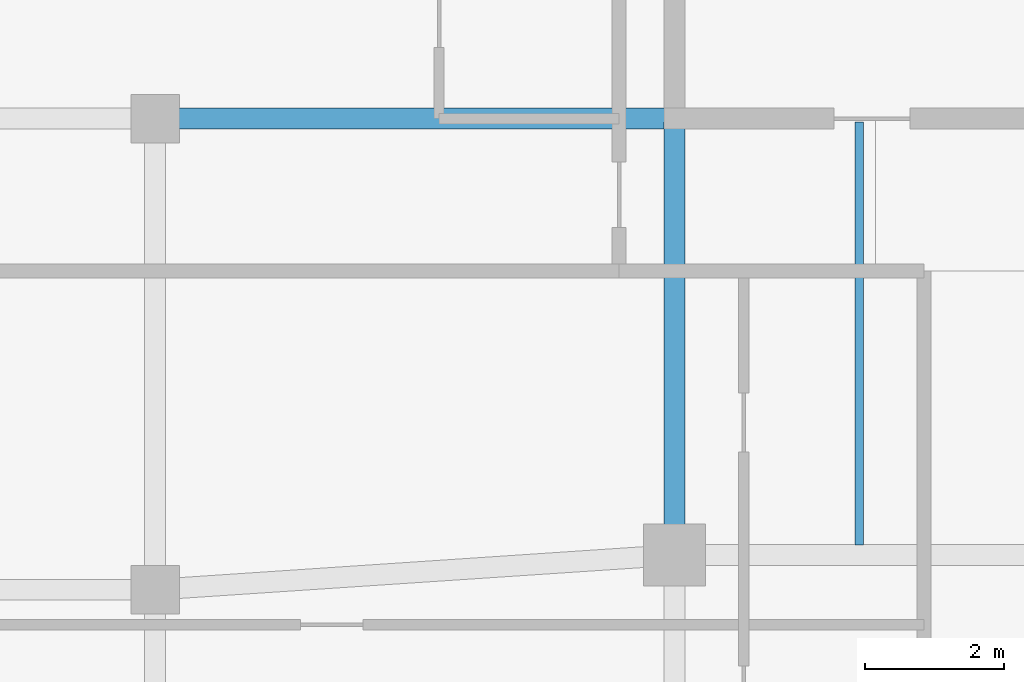
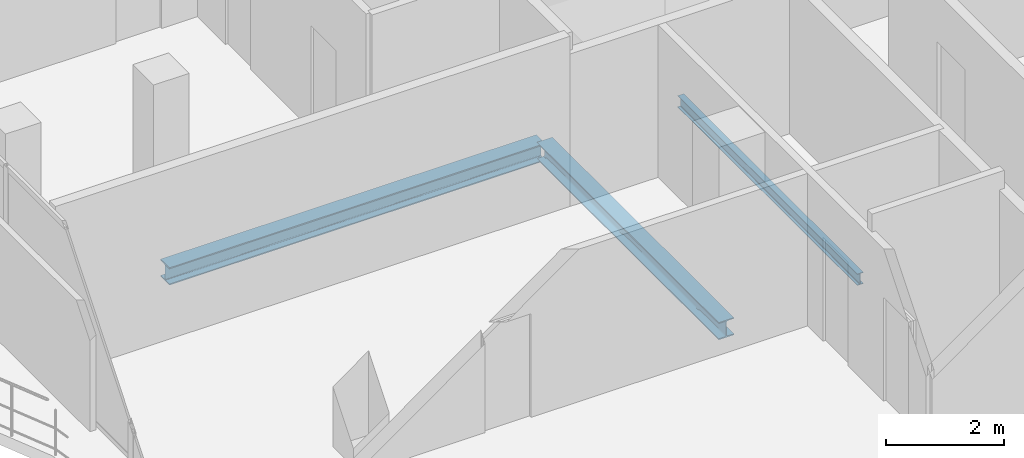
# One storey, part 11 of 22: 3 beams.
"""IFC4 building model written with IfcOpenShell, lengths in metres."""

from ifc_helpers import new_model, si_unit, direction, frame, origin, origin_2d, place, context, subcontext, project, spatial, i_section, extrude, material, material_profile, profile_set, type_object, element, save


model = new_model("IFC4")

# Units and contexts
model_context = context("Model", 3, precision=1e-05, world=origin(), true_north=direction((0.0, 1.0)))
body_context = subcontext(model_context, "Body", "Model", "MODEL_VIEW")
ifc_project = project(units=[si_unit("LENGTHUNIT", "METRE"), si_unit("AREAUNIT", "SQUARE_METRE"), si_unit("VOLUMEUNIT", "CUBIC_METRE"), si_unit("PLANEANGLEUNIT", "RADIAN"), si_unit("MASSUNIT", "GRAM", prefix="KILO")], contexts=[model_context])

# Site, building, storey
site_placement = place(None, origin())
site = spatial("IfcSite", under=ifc_project, at=site_placement, CompositionType="ELEMENT")
building_placement = place(site_placement, origin())
building = spatial("IfcBuilding", under=site, at=building_placement, Name="Catumbela Crestline Tower", CompositionType="ELEMENT")
storey_placement = place(building_placement, frame((0.0, 0.0, 260.2)))
storey = spatial("IfcBuildingStorey", under=building, at=storey_placement, Name="L67", CompositionType="ELEMENT", Elevation=260.2)

# Beams
ifc_material = material(Name="Structural steel S355J2", Category="steel")
ifc_material_profile_1 = material_profile(ifc_material, i_section(OverallWidth=0.3, OverallDepth=0.36, WebThickness=0.0125, FlangeThickness=0.0225, FilletRadius=0.027, at=origin_2d()), Name="HEB 360")
ifc_profile_set_1 = profile_set([ifc_material_profile_1], Name="Structural steel S355J2")
beam_type_1 = type_object("IfcBeamType", Name="BG-HEB360", PredefinedType="BEAM", material=ifc_profile_set_1)
beam_1_placement = place(storey_placement, frame((8.58, 30.8, -0.44), z_axis=(1.0, 0.0, 0.0), x_axis=(0.0, 1.0, 0.0)))
element("IfcBeam", 1, at=beam_1_placement, inside=storey, type_object=beam_type_1, Name="L67 Beam BM-L67-M07", PredefinedType="BEAM", context=body_context, shape_type="SweptSolid", body=[
    extrude(i_section(OverallWidth=0.3, OverallDepth=0.36, WebThickness=0.0125, FlangeThickness=0.0225, FilletRadius=0.027, at=origin_2d()), origin(), (0.0, 0.0, 1.0), 7.37),
])
beam_2_placement = place(storey_placement, frame((16.0, 24.58, -0.44), z_axis=(0.0, 1.0, 0.0), x_axis=(-1.0, 0.0, 0.0)))
element("IfcBeam", 2, at=beam_2_placement, inside=storey, type_object=beam_type_1, Name="L67 Beam BM-L67-SNS15", PredefinedType="BEAM", context=body_context, shape_type="SweptSolid", body=[
    extrude(i_section(OverallWidth=0.3, OverallDepth=0.36, WebThickness=0.0125, FlangeThickness=0.0225, FilletRadius=0.027, at=origin_2d()), origin(), (0.0, 0.0, 1.0), 6.17),
])
ifc_material_profile_2 = material_profile(ifc_material, i_section(OverallWidth=0.12, OverallDepth=0.24, WebThickness=0.0062, FlangeThickness=0.0098, FilletRadius=0.015, at=origin_2d()), Name="IPE 240")
ifc_profile_set_2 = profile_set([ifc_material_profile_2], Name="Structural steel S355J2")
beam_type_2 = type_object("IfcBeamType", Name="BJ-IPE240", PredefinedType="JOIST", material=ifc_profile_set_2)
beam_3_placement = place(storey_placement, frame((18.667, 24.647, -0.38), z_axis=(0.0, 1.0, 0.0), x_axis=(-1.0, 0.0, 0.0)))
element("IfcBeam", 3, at=beam_3_placement, inside=storey, type_object=beam_type_2, Name="L67 Joist JS-L67-SP21", PredefinedType="JOIST", context=body_context, shape_type="SweptSolid", body=[
    extrude(i_section(OverallWidth=0.12, OverallDepth=0.24, WebThickness=0.0062, FlangeThickness=0.0098, FilletRadius=0.015, at=origin_2d()), origin(), (0.0, 0.0, 1.0), 6.103),
])

save(model, "model.ifc")
